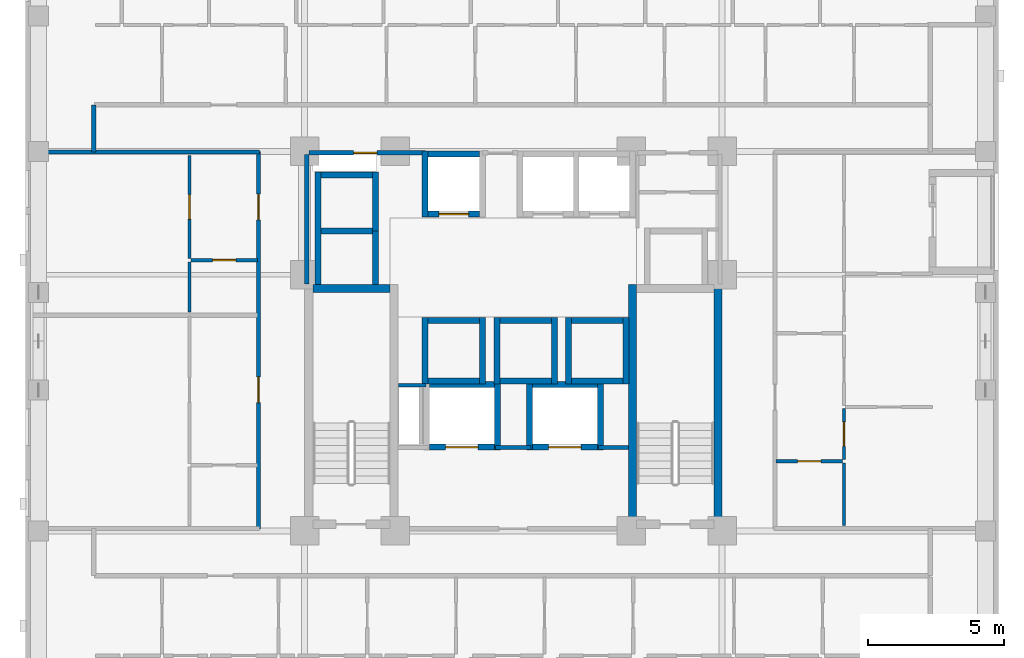
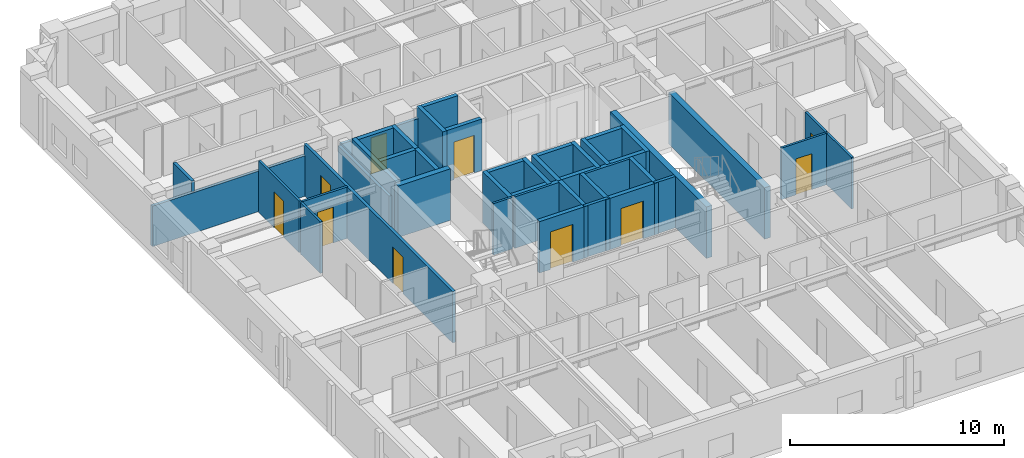
# One storey, part 5 of 13: 44 walls, 10 doors, 10 openings.
"""IFC4 building model written with IfcOpenShell, lengths in metres."""

import ifcopenshell
import ifcopenshell.guid

model = None  # the IFC model being written
_history = None  # IfcOwnerHistory: only IFC2X3 demands one
_inside = {}  # id of a spatial element -> (the spatial element, [elements in it])
_under = {}  # id of a project, library or spatial element -> (it, [spatial elements below it])
_declared = {}  # id of a project -> (the project, [libraries it declares])
_typed = {}  # id of a type object -> (the type object, [elements of that type])
_made_of = {}  # id of a material, layer set ... -> (it, [elements and type objects made of it])


def new_model(schema):
    """Start an empty IFC model of exactly this schema.

    Asked for "IFC4X3", IfcOpenShell would pick the latest addendum, in which some entities
    have other attributes; the version numbers below select the first issue.
    IFC2X3 requires an IfcOwnerHistory on every rooted entity: one is made here for all.
    """
    global model, _history
    if schema == "IFC4X3":
        model = ifcopenshell.file(schema_version=(4, 3, 0, 0))
    else:
        model = ifcopenshell.file(schema=schema)
    _inside.clear()
    _under.clear()
    _declared.clear()
    _typed.clear()
    _made_of.clear()
    _history = None
    if model.schema == "IFC2X3":
        org = make("IfcOrganization", Name="unknown")
        user = make(
            "IfcPersonAndOrganization",
            ThePerson=make("IfcPerson", FamilyName="unknown"),
            TheOrganization=org,
        )
        app = make(
            "IfcApplication",
            ApplicationDeveloper=org,
            Version="unknown",
            ApplicationFullName="unknown",
            ApplicationIdentifier="unknown",
        )
        _history = make(
            "IfcOwnerHistory",
            OwningUser=user,
            OwningApplication=app,
            ChangeAction="ADDED",
            CreationDate=0,
        )
    return model


def make(cls, **values):
    """One entity of the class cls with the attributes given. An attribute that is None is left unset."""
    return model.create_entity(
        cls, **{name: value for name, value in values.items() if value is not None}
    )


def rooted(cls, **values):
    """An entity with a GlobalId (a new one), such as an element, a storey or a relation."""
    return make(cls, GlobalId=ifcopenshell.guid.new(), OwnerHistory=_history, **values)


def si_unit(unit_type, name, prefix=None):
    """IfcSIUnit, for example si_unit("LENGTHUNIT", "METRE", prefix="MILLI")."""
    return make("IfcSIUnit", UnitType=unit_type, Prefix=prefix, Name=name)


def derived_unit(unit_type, elements):
    """IfcDerivedUnit: a product of units, each with its exponent."""
    return make(
        "IfcDerivedUnit",
        Elements=[
            make("IfcDerivedUnitElement", Unit=unit, Exponent=power)
            for unit, power in elements
        ],
        UnitType=unit_type,
    )


def assignment(units):
    """IfcUnitAssignment: the units of a project."""
    return None if units is None else make("IfcUnitAssignment", Units=units)


def point(xyz):
    """IfcCartesianPoint."""
    return None if xyz is None else make("IfcCartesianPoint", Coordinates=xyz)


def direction(xyz):
    """IfcDirection."""
    return None if xyz is None else make("IfcDirection", DirectionRatios=xyz)


def frame(location, z_axis=None, x_axis=None):
    """IfcAxis2Placement3D, a coordinate frame: its origin and axes. An axis left out is left unset."""
    return make(
        "IfcAxis2Placement3D",
        Location=point(location),
        Axis=direction(z_axis),
        RefDirection=direction(x_axis),
    )


def frame_2d(location, x_axis=None):
    """IfcAxis2Placement2D, a coordinate frame in the plane: its origin and x axis."""
    return make(
        "IfcAxis2Placement2D", Location=point(location), RefDirection=direction(x_axis)
    )


def origin():
    """The frame at (0, 0, 0) with its axes left unset."""
    return frame((0.0, 0.0, 0.0))


def place(relative_to, where):
    """IfcLocalPlacement: puts the frame where relative to a parent placement (None: the world)."""
    return make(
        "IfcLocalPlacement", PlacementRelTo=relative_to, RelativePlacement=where
    )


def context(
    kind, dimensions, precision=None, world=None, true_north=None, identifier=None
):
    """IfcGeometricRepresentationContext, for example the 3D "Model" context."""
    return make(
        "IfcGeometricRepresentationContext",
        ContextIdentifier=identifier,
        ContextType=kind,
        CoordinateSpaceDimension=dimensions,
        Precision=precision,
        WorldCoordinateSystem=world,
        TrueNorth=true_north,
    )


def subcontext(parent, identifier, kind, view, scale=None):
    """IfcGeometricRepresentationSubContext, for example "Body" below "Model"."""
    return make(
        "IfcGeometricRepresentationSubContext",
        ContextIdentifier=identifier,
        ContextType=kind,
        ParentContext=parent,
        TargetScale=scale,
        TargetView=view,
    )


def project(units=None, contexts=None):
    """IfcProject with its units and contexts."""
    return rooted(
        "IfcProject",
        Name="project",
        RepresentationContexts=contexts,
        UnitsInContext=assignment(units),
    )


def spatial(cls, under=None, at=None, **own):
    """A site, building, storey or space (cls), placed at a placement, below another one or the project."""
    s = rooted(cls, ObjectPlacement=at, **own)
    if under is not None:
        _under.setdefault(under.id(), (under, []))[1].append(s)
    return s


def profile(cls, at=None, kind="AREA", **sizes):
    """A parametric profile (cls). Its sizes go by their IFC names, for example OverallWidth=200.0."""
    return make(cls, ProfileType=kind, Position=at, **sizes)


def rectangle(**sizes):
    """IfcRectangleProfileDef."""
    return profile("IfcRectangleProfileDef", **sizes)


def extrude(swept, where, along, depth):
    """IfcExtrudedAreaSolid: the profile swept, set in the frame where, extruded along a direction by depth."""
    return make(
        "IfcExtrudedAreaSolid",
        SweptArea=swept,
        Position=where,
        ExtrudedDirection=direction(along),
        Depth=depth,
    )


def shape(context_of_items, identifier, shape_type, items):
    """IfcShapeRepresentation: the items that make up one representation, for example the "Body"."""
    return make(
        "IfcShapeRepresentation",
        ContextOfItems=context_of_items,
        RepresentationIdentifier=identifier,
        RepresentationType=shape_type,
        Items=items,
    )


def material(Name=None, Category=None):
    """IfcMaterial."""
    return make("IfcMaterial", Name=Name, Category=Category)


def layer(
    of_material, thickness, ventilated=None, Name=None, Category=None, Priority=None
):
    """IfcMaterialLayer: one layer of a wall or slab, of a material (None: an air gap)."""
    return make(
        "IfcMaterialLayer",
        Material=of_material,
        LayerThickness=thickness,
        IsVentilated=ventilated,
        Name=Name,
        Category=Category,
        Priority=Priority,
    )


def layer_set(layers, Name=None):
    """IfcMaterialLayerSet."""
    return make("IfcMaterialLayerSet", MaterialLayers=layers, LayerSetName=Name)


def made_of(thing, what):
    """Note that an element or type object is made of a material, layer set ...; save() writes the relation."""
    if what is not None:
        _made_of.setdefault(what.id(), (what, []))[1].append(thing)
    return thing


def type_object(cls, material=None, **own):
    """A type object (cls), such as IfcWallType, which elements share."""
    return made_of(rooted(cls, **own), material)


def element(
    cls,
    number,
    at=None,
    inside=None,
    cuts=None,
    type_object=None,
    material=None,
    context=None,
    identifier="Body",
    shape_type=None,
    held_by="IfcProductDefinitionShape",
    body=None,
    shapes=None,
    **own,
):
    """One element of the class cls, such as IfcWall. Its Tag is "e" and its number.

    at: its placement. inside: the storey or other place that contains it. cuts: it is an
    opening in that element (IfcRelVoidsElement). A single representation is given by context,
    identifier, shape_type and body (its items); several are given by shapes. held_by: the class
    of the entity that holds the representations. save() writes the other relations.
    """
    e = rooted(cls, Tag="e%d" % number, ObjectPlacement=at, **own)
    if body is not None:
        shapes = [shape(context, identifier, shape_type, body)]
    if shapes is not None:
        e.Representation = make(held_by, Representations=shapes)
    if inside is not None:
        _inside.setdefault(inside.id(), (inside, []))[1].append(e)
    if cuts is not None:
        rooted(
            "IfcRelVoidsElement", RelatingBuildingElement=cuts, RelatedOpeningElement=e
        )
    if type_object is not None:
        _typed.setdefault(type_object.id(), (type_object, []))[1].append(e)
    return made_of(e, material)


def fill(opening, filler):
    """IfcRelFillsElement: the door or window that sits in an opening."""
    return rooted(
        "IfcRelFillsElement",
        RelatingOpeningElement=opening,
        RelatedBuildingElement=filler,
    )


def aggregate(whole, parts):
    """IfcRelAggregates: a whole, such as a stair, and the parts it consists of."""
    return rooted("IfcRelAggregates", RelatingObject=whole, RelatedObjects=parts)


def save(model, path):
    """Write the relations noted so far, then the file.

    IfcRelAggregates (storeys below a building ...), IfcRelContainedInSpatialStructure (elements
    in a storey), IfcRelDefinesByType, IfcRelAssociatesMaterial and IfcRelDeclares: one each for
    every whole, place, type object, material and project.
    """
    for whole, parts in _under.values():
        aggregate(whole, parts)
    for where, things in _inside.values():
        rooted(
            "IfcRelContainedInSpatialStructure",
            RelatedElements=things,
            RelatingStructure=where,
        )
    for kind, things in _typed.values():
        rooted("IfcRelDefinesByType", RelatedObjects=things, RelatingType=kind)
    for what, things in _made_of.values():
        rooted("IfcRelAssociatesMaterial", RelatedObjects=things, RelatingMaterial=what)
    for by, libraries in _declared.values():
        rooted("IfcRelDeclares", RelatingContext=by, RelatedDefinitions=libraries)
    model.write(path)


model = new_model("IFC4")

# Units and contexts
model_context = context("Model", 3, precision=1e-05, world=origin(), true_north=direction((0.0, 1.0)))
body_context = subcontext(model_context, "Body", "Model", "MODEL_VIEW")
ifc_project = project(units=[si_unit("LENGTHUNIT", "METRE"), si_unit("AREAUNIT", "SQUARE_METRE"), si_unit("VOLUMEUNIT", "CUBIC_METRE"), si_unit("PLANEANGLEUNIT", "RADIAN"), si_unit("MASSUNIT", "GRAM", prefix="KILO"), derived_unit("THERMALTRANSMITTANCEUNIT", [(si_unit("MASSUNIT", "GRAM", prefix="KILO"), 1), (si_unit("TIMEUNIT", "SECOND"), -3), (si_unit("THERMODYNAMICTEMPERATUREUNIT", "KELVIN"), -1)])], contexts=[model_context])

# Site, building, storey
site_placement = place(None, origin())
site = spatial("IfcSite", under=ifc_project, at=site_placement, CompositionType="ELEMENT")
building_placement = place(site_placement, origin())
building = spatial("IfcBuilding", under=site, at=building_placement, Name="Korrvale Station Residences", CompositionType="ELEMENT")
storey_placement = place(building_placement, frame((0.0, 0.0, 97.5)))
storey = spatial("IfcBuildingStorey", under=building, at=storey_placement, Name="L27", CompositionType="ELEMENT", Elevation=97.5)

# Walls
ifc_material_1 = material(Name="Concrete C60/75", Category="concrete")
ifc_layer_1 = layer(ifc_material_1, 0.300048828125, Name="Concrete C60/75")
ifc_layer_set_1 = layer_set([ifc_layer_1], Name="Concrete C60/75")
wall_type_1 = type_object("IfcWallType", Name="WAL-CORE-300-C60", PredefinedType="SHEAR", material=ifc_layer_set_1)
wall_1_placement = place(storey_placement, frame((18.10009765625, 23.949951171875, 0.0), z_axis=(0.0, 0.0, 1.0), x_axis=(1.0, 0.0, 0.0)))
element("IfcWall", 1, at=wall_1_placement, inside=storey, type_object=wall_type_1, Name="L27 ST-1 Core Shear Wall North", PredefinedType="SHEAR", context=body_context, shape_type="SweptSolid", body=[
    extrude(rectangle(XDim=2.849853515625, YDim=0.300048828125, at=frame_2d((1.4248046875, 0.0))), origin(), (0.0, 0.0, 1.0), 2.93994140625),
])
for number, where, z_axis, x_axis, name in (
    (2, (29.89990234375, 15.10009765625, 0.0), (0.0, 0.0, 1.0), (0.0, 1.0, 0.0), "L27 ST-2 Core Shear Wall West"),
    (3, (33.050048828125, 15.10009765625, 0.0), (0.0, 0.0, 1.0), (0.0, 1.0, 0.0), "L27 ST-2 Core Shear Wall East"),
):
    element("IfcWall", number, at=place(storey_placement, frame(where, z_axis=z_axis, x_axis=x_axis)), inside=storey, type_object=wall_type_1, Name=name, PredefinedType="SHEAR", context=body_context, shape_type="SweptSolid", body=[
        extrude(rectangle(XDim=9.0, YDim=0.300048828125, at=frame_2d((4.5, 0.0))), origin(), (0.0, 0.0, 1.0), 2.93994140625),
    ])
ifc_material_2 = material(Name="Acoustic steel-stud gypsum board partition", Category="steel")
ifc_layer_2 = layer(ifc_material_2, 0.1201171875, Name="Acoustic steel-stud gypsum board partition")
ifc_layer_set_2 = layer_set([ifc_layer_2], Name="Acoustic steel-stud gypsum board partition")
wall_type_2 = type_object("IfcWallType", Name="WAL-PART-125", PredefinedType="PARTITIONING", material=ifc_layer_set_2)
wall_2_placement = place(storey_placement, frame((22.280029296875, 20.3798828125, 0.0), z_axis=(0.0, 0.0, 1.0), x_axis=(-1.0, 0.0, 0.0)))
element("IfcWall", 4, at=wall_2_placement, inside=storey, type_object=wall_type_2, Name="L27 Core Partition CW-RSWT-N", PredefinedType="PARTITIONING", context=body_context, shape_type="SweptSolid", body=[
    extrude(rectangle(XDim=1.02001953125, YDim=0.1201171875, at=frame_2d((0.510009765625, 0.0))), origin(), (0.0, 0.0, 1.0), 2.93994140625),
])

# Wall, opening, door
wall_3_placement = place(storey_placement, frame((13.610107421875, 24.991943359375, 0.0), z_axis=(0.0, 0.0, 1.0), x_axis=(1.0, 0.0, 0.0)))
wall_3 = element("IfcWall", 5, at=wall_3_placement, inside=storey, type_object=wall_type_2, Name="L27 Suite Partition U04-H01", PredefinedType="PARTITIONING", context=body_context, shape_type="SweptSolid", body=[
    extrude(rectangle(XDim=2.449951171875, YDim=0.1201171875, at=frame_2d((1.22509765625, 0.0))), origin(), (0.0, 0.0, 1.0), 2.93994140625),
])
opening_1_placement = place(wall_3_placement, frame((0.794921875, 0.0, 0.0)))
opening_1 = element("IfcOpeningElement", 6, at=opening_1_placement, cuts=wall_3, Name="Opening DB-860", PredefinedType="OPENING", context=body_context, shape_type="SweptSolid", body=[
    extrude(rectangle(XDim=0.860107421875, YDim=2.050048828125, at=frame_2d((0.43017578125, 1.02490234375))), frame((0.0, 0.070068359375, 0.0), z_axis=(0.0, -1.0, 0.0), x_axis=(1.0, 0.0, 0.0)), (0.0, 0.0, 1.0), 0.14013671875),
])
ifc_material_3 = material(Name="Moisture-resistant solid-core bathroom door", Category="timber")
door_type_1 = type_object("IfcDoorType", Name="DR-BATH-860", OperationType="NOTDEFINED", PredefinedType="DOOR", material=ifc_material_3)
door_1_placement = place(opening_1_placement, origin())
door_1 = element("IfcDoor", 7, at=door_1_placement, inside=storey, type_object=door_type_1, Name="L27 Apartment 1BR L27-U04 Bathroom Door", OperationType="SINGLE_SWING_LEFT", OverallHeight=2.050048828125, OverallWidth=0.860107421875, PredefinedType="DOOR", context=body_context, shape_type="SweptSolid", body=[
    extrude(rectangle(XDim=0.860107421875, YDim=2.050048828125, at=frame_2d((0.43017578125, 1.02490234375))), frame((0.0, 0.02490234375, 0.0), z_axis=(0.0, -1.0, 0.0), x_axis=(1.0, 0.0, 0.0)), (0.0, 0.0, 1.0), 0.050048828125),
])
fill(opening_1, door_1)

# Wall
wall_4_placement = place(storey_placement, frame((13.550048828125, 23.08203125, 0.0), z_axis=(0.0, 0.0, 1.0), x_axis=(0.0, 1.0, 0.0)))
element("IfcWall", 8, at=wall_4_placement, inside=storey, type_object=wall_type_2, Name="L27 Suite Partition U04-V02", PredefinedType="PARTITIONING", context=body_context, shape_type="SweptSolid", body=[
    extrude(rectangle(XDim=1.849853515625, YDim=0.1201171875, at=frame_2d((0.9248046875, 0.0))), origin(), (0.0, 0.0, 1.0), 2.93994140625),
])

# Wall, opening, door
wall_5_placement = place(storey_placement, frame((13.550048828125, 25.052001953125, 0.0), z_axis=(0.0, 0.0, 1.0), x_axis=(0.0, 1.0, 0.0)))
wall_5 = element("IfcWall", 9, at=wall_5_placement, inside=storey, type_object=wall_type_2, Name="L27 Suite Partition U04-V12", PredefinedType="PARTITIONING", context=body_context, shape_type="SweptSolid", body=[
    extrude(rectangle(XDim=3.80810546875, YDim=0.1201171875, at=frame_2d((1.904052734375, 0.0))), origin(), (0.0, 0.0, 1.0), 2.93994140625),
])
opening_2_placement = place(wall_5_placement, frame((1.4541015625, 0.0, 0.0)))
opening_2 = element("IfcOpeningElement", 10, at=opening_2_placement, cuts=wall_5, Name="Opening DI-900", PredefinedType="OPENING", context=body_context, shape_type="SweptSolid", body=[
    extrude(rectangle(XDim=0.89990234375, YDim=2.050048828125, at=frame_2d((0.449951171875, 1.02490234375))), frame((0.0, 0.070068359375, 0.0), z_axis=(0.0, -1.0, 0.0), x_axis=(1.0, 0.0, 0.0)), (0.0, 0.0, 1.0), 0.14013671875),
])
ifc_material_4 = material(Name="Painted solid-core timber interior room door", Category="wood")
door_type_2 = type_object("IfcDoorType", Name="DR-INT-900", OperationType="NOTDEFINED", PredefinedType="DOOR", material=ifc_material_4)
door_2_placement = place(opening_2_placement, origin())
door_2 = element("IfcDoor", 11, at=door_2_placement, inside=storey, type_object=door_type_2, Name="L27 Apartment 1BR L27-U04 Kitchen Door", OperationType="SINGLE_SWING_RIGHT", OverallHeight=2.050048828125, OverallWidth=0.89990234375, PredefinedType="DOOR", context=body_context, shape_type="SweptSolid", body=[
    extrude(rectangle(XDim=0.89990234375, YDim=2.050048828125, at=frame_2d((0.449951171875, 1.02490234375))), frame((0.0, 0.02490234375, 0.0), z_axis=(0.0, -1.0, 0.0), x_axis=(1.0, 0.0, 0.0)), (0.0, 0.0, 1.0), 0.050048828125),
])
fill(opening_2, door_2)

wall_6_placement = place(storey_placement, frame((35.18994140625, 17.570068359375, 0.0), z_axis=(0.0, 0.0, 1.0), x_axis=(1.0, 0.0, 0.0)))
wall_6 = element("IfcWall", 12, at=wall_6_placement, inside=storey, type_object=wall_type_2, Name="L27 Suite Partition U05-H12", PredefinedType="PARTITIONING", context=body_context, shape_type="SweptSolid", body=[
    extrude(rectangle(XDim=2.449951171875, YDim=0.1201171875, at=frame_2d((1.22509765625, 0.0))), origin(), (0.0, 0.0, 1.0), 2.93994140625),
])
opening_3_placement = place(wall_6_placement, frame((0.794921875, 0.0, 0.0)))
opening_3 = element("IfcOpeningElement", 13, at=opening_3_placement, cuts=wall_6, Name="Opening DB-860", PredefinedType="OPENING", context=body_context, shape_type="SweptSolid", body=[
    extrude(rectangle(XDim=0.860107421875, YDim=2.050048828125, at=frame_2d((0.43017578125, 1.02490234375))), frame((0.0, 0.070068359375, 0.0), z_axis=(0.0, -1.0, 0.0), x_axis=(1.0, 0.0, 0.0)), (0.0, 0.0, 1.0), 0.14013671875),
])
door_3_placement = place(opening_3_placement, origin())
door_3 = element("IfcDoor", 14, at=door_3_placement, inside=storey, type_object=door_type_1, Name="L27 Apartment 2BR L27-U05 Bathroom Door", OperationType="SINGLE_SWING_RIGHT", OverallHeight=2.050048828125, OverallWidth=0.860107421875, PredefinedType="DOOR", context=body_context, shape_type="SweptSolid", body=[
    extrude(rectangle(XDim=0.860107421875, YDim=2.050048828125, at=frame_2d((0.43017578125, 1.02490234375))), frame((0.0, 0.02490234375, 0.0), z_axis=(0.0, -1.0, 0.0), x_axis=(1.0, 0.0, 0.0)), (0.0, 0.0, 1.0), 0.050048828125),
])
fill(opening_3, door_3)

# Wall
wall_7_placement = place(storey_placement, frame((37.699951171875, 15.2099609375, 0.0), z_axis=(0.0, 0.0, 1.0), x_axis=(0.0, 1.0, 0.0)))
element("IfcWall", 15, at=wall_7_placement, inside=storey, type_object=wall_type_2, Name="L27 Suite Partition U05-V13", PredefinedType="PARTITIONING", context=body_context, shape_type="SweptSolid", body=[
    extrude(rectangle(XDim=2.300048828125, YDim=0.1201171875, at=frame_2d((1.14990234375, 0.0))), origin(), (0.0, 0.0, 1.0), 2.93994140625),
])

# Wall, opening, door
wall_8_placement = place(storey_placement, frame((37.699951171875, 17.6298828125, 0.0), z_axis=(0.0, 0.0, 1.0), x_axis=(0.0, 1.0, 0.0)))
wall_8 = element("IfcWall", 16, at=wall_8_placement, inside=storey, type_object=wall_type_2, Name="L27 Suite Partition U05-V23", PredefinedType="PARTITIONING", context=body_context, shape_type="SweptSolid", body=[
    extrude(rectangle(XDim=1.88818359375, YDim=0.1201171875, at=frame_2d((0.944091796875, 0.0))), origin(), (0.0, 0.0, 1.0), 2.93994140625),
])
opening_4_placement = place(wall_8_placement, frame((0.493896484375, 0.0, 0.0)))
opening_4 = element("IfcOpeningElement", 17, at=opening_4_placement, cuts=wall_8, Name="Opening DI-900", PredefinedType="OPENING", context=body_context, shape_type="SweptSolid", body=[
    extrude(rectangle(XDim=0.89990234375, YDim=2.050048828125, at=frame_2d((0.449951171875, 1.02490234375))), frame((0.0, 0.070068359375, 0.0), z_axis=(0.0, -1.0, 0.0), x_axis=(1.0, 0.0, 0.0)), (0.0, 0.0, 1.0), 0.14013671875),
])
door_4_placement = place(opening_4_placement, origin())
door_4 = element("IfcDoor", 18, at=door_4_placement, inside=storey, type_object=door_type_2, Name="L27 Apartment 2BR L27-U05 Kitchen Door", OperationType="SINGLE_SWING_LEFT", OverallHeight=2.050048828125, OverallWidth=0.89990234375, PredefinedType="DOOR", context=body_context, shape_type="SweptSolid", body=[
    extrude(rectangle(XDim=0.89990234375, YDim=2.050048828125, at=frame_2d((0.449951171875, 1.02490234375))), frame((0.0, 0.02490234375, 0.0), z_axis=(0.0, -1.0, 0.0), x_axis=(1.0, 0.0, 0.0)), (0.0, 0.0, 1.0), 0.050048828125),
])
fill(opening_4, door_4)

# Walls
ifc_material_5 = material(Name="Fire-rated twin-stud gypsum and mineral wool shaftwall assembly", Category="gypsum")
ifc_layer_3 = layer(ifc_material_5, 0.159912109375, Name="Fire-rated twin-stud gypsum and mineral wool shaftwall assembly")
ifc_layer_set_3 = layer_set([ifc_layer_3], Name="Fire-rated twin-stud gypsum and mineral wool shaftwall assembly")
wall_type_3 = type_object("IfcWallType", Name="WAL-PART-200", PredefinedType="PARTITIONING", material=ifc_layer_set_3)
wall_9_placement = place(storey_placement, frame((24.85009765625, 18.080078125, 0.0), z_axis=(0.0, 0.0, 1.0), x_axis=(1.0, 0.0, 0.0)))
element("IfcWall", 19, at=wall_9_placement, inside=storey, type_object=wall_type_3, Name="L27 Core Partition CW-FFL-N2", PredefinedType="PARTITIONING", context=body_context, shape_type="SweptSolid", body=[
    extrude(rectangle(XDim=1.2998046875, YDim=0.159912109375, at=frame_2d((0.64990234375, 0.0))), origin(), (0.0, 0.0, 1.0), 2.93994140625),
])
wall_10_placement = place(storey_placement, frame((28.64990234375, 18.080078125, 0.0), z_axis=(0.0, 0.0, 1.0), x_axis=(1.0, 0.0, 0.0)))
element("IfcWall", 20, at=wall_10_placement, inside=storey, type_object=wall_type_3, Name="L27 Core Partition CW-FFL-N3", PredefinedType="PARTITIONING", context=body_context, shape_type="SweptSolid", body=[
    extrude(rectangle(XDim=1.10009765625, YDim=0.159912109375, at=frame_2d((0.550048828125, 0.0))), origin(), (0.0, 0.0, 1.0), 2.93994140625),
])
wall_11_placement = place(storey_placement, frame((17.8798828125, 24.1201171875, 0.0), z_axis=(0.0, 0.0, 1.0), x_axis=(0.0, 1.0, 0.0)))
element("IfcWall", 21, at=wall_11_placement, inside=storey, type_object=wall_type_3, Name="L27 Core Partition CW-W-N", PredefinedType="PARTITIONING", context=body_context, shape_type="SweptSolid", body=[
    extrude(rectangle(XDim=4.759765625, YDim=0.159912109375, at=frame_2d((2.3798828125, 0.0))), origin(), (0.0, 0.0, 1.0), 2.27490234375),
])

# Wall, opening, door
wall_12_placement = place(storey_placement, frame((17.9599609375, 28.949951171875, 0.0), z_axis=(0.0, 0.0, 1.0), x_axis=(1.0, 0.0, 0.0)))
wall_12 = element("IfcWall", 22, at=wall_12_placement, inside=storey, type_object=wall_type_3, Name="L27 Core Partition CW-NW", PredefinedType="PARTITIONING", context=body_context, shape_type="SweptSolid", body=[
    extrude(rectangle(XDim=4.2900390625, YDim=0.159912109375, at=frame_2d((2.14501953125, 0.0))), origin(), (0.0, 0.0, 1.0), 2.31298828125),
])
opening_5_placement = place(wall_12_placement, frame((1.64501953125, 0.0, 0.0)))
opening_5 = element("IfcOpeningElement", 23, at=opening_5_placement, cuts=wall_12, Name="Opening DB-860", PredefinedType="OPENING", context=body_context, shape_type="SweptSolid", body=[
    extrude(rectangle(XDim=0.860107421875, YDim=2.050048828125, at=frame_2d((0.43017578125, 1.02490234375))), frame((0.0, 0.08984375, 0.0), z_axis=(0.0, -1.0, 0.0), x_axis=(1.0, 0.0, 0.0)), (0.0, 0.0, 1.0), 0.179931640625),
])
door_5_placement = place(opening_5_placement, origin())
door_5 = element("IfcDoor", 24, at=door_5_placement, inside=storey, type_object=door_type_1, Name="L27 Electrical Riser Access Door", OperationType="SINGLE_SWING_LEFT", OverallHeight=2.050048828125, OverallWidth=0.860107421875, PredefinedType="DOOR", context=body_context, shape_type="SweptSolid", body=[
    extrude(rectangle(XDim=0.860107421875, YDim=2.050048828125, at=frame_2d((0.43017578125, 1.02490234375))), frame((0.0, 0.02490234375, 0.0), z_axis=(0.0, -1.0, 0.0), x_axis=(1.0, 0.0, 0.0)), (0.0, 0.0, 1.0), 0.050048828125),
])
fill(opening_5, door_5)

# Walls
wall_13_placement = place(storey_placement, frame((10.02001953125, 28.97998046875, 0.0), z_axis=(0.0, 0.0, 1.0), x_axis=(0.0, 1.0, 0.0)))
element("IfcWall", 25, at=wall_13_placement, inside=storey, type_object=wall_type_3, Name="L27 Corridor North West Cap", PredefinedType="PARTITIONING", context=body_context, shape_type="SweptSolid", body=[
    extrude(rectangle(XDim=1.739990234375, YDim=0.159912109375, at=frame_2d((0.8701171875, 0.0))), origin(), (0.0, 0.0, 1.0), 2.93994140625),
])
wall_14_placement = place(storey_placement, frame((7.780029296875, 28.97998046875, 0.0), z_axis=(0.0, 0.0, 1.0), x_axis=(1.0, 0.0, 0.0)))
element("IfcWall", 26, at=wall_14_placement, inside=storey, type_object=wall_type_3, Name="L27 West Wing North Corridor Wall", PredefinedType="PARTITIONING", context=body_context, shape_type="SweptSolid", body=[
    extrude(rectangle(XDim=8.35986328125, YDim=0.159912109375, at=frame_2d((4.179931640625, 0.0))), origin(), (0.0, 0.0, 1.0), 2.31298828125),
])

# Wall, openings, doors
wall_15_placement = place(storey_placement, frame((16.10009765625, 15.070068359375, 0.0), z_axis=(0.0, 0.0, 1.0), x_axis=(0.0, 1.0, 0.0)))
wall_15 = element("IfcWall", 27, at=wall_15_placement, inside=storey, type_object=wall_type_3, Name="L27 Rated Corridor Wall W", PredefinedType="PARTITIONING", context=body_context, shape_type="SweptSolid", body=[
    extrude(rectangle(XDim=13.929931640625, YDim=0.159912109375, at=frame_2d((6.96484375, 0.0))), origin(), (0.0, 0.0, 1.0), 2.93994140625),
])
opening_6_placement = place(wall_15_placement, frame((4.660888671875, 0.0, 0.0)))
opening_6 = element("IfcOpeningElement", 28, at=opening_6_placement, cuts=wall_15, Name="Opening UD-950", PredefinedType="OPENING", context=body_context, shape_type="SweptSolid", body=[
    extrude(rectangle(XDim=0.949951171875, YDim=2.10009765625, at=frame_2d((0.47509765625, 1.050048828125))), frame((0.0, 0.08984375, 0.0), z_axis=(0.0, -1.0, 0.0), x_axis=(1.0, 0.0, 0.0)), (0.0, 0.0, 1.0), 0.179931640625),
])
opening_7_placement = place(wall_15_placement, frame((11.410888671875, 0.0, 0.0)))
opening_7 = element("IfcOpeningElement", 29, at=opening_7_placement, cuts=wall_15, Name="Opening UD-950", PredefinedType="OPENING", context=body_context, shape_type="SweptSolid", body=[
    extrude(rectangle(XDim=0.949951171875, YDim=2.10009765625, at=frame_2d((0.47509765625, 1.050048828125))), frame((0.0, 0.08984375, 0.0), z_axis=(0.0, -1.0, 0.0), x_axis=(1.0, 0.0, 0.0)), (0.0, 0.0, 1.0), 0.179931640625),
])
ifc_material_6 = material(Name="Solid-core acoustic oak apartment entrance door", Category="timber")
door_type_3 = type_object("IfcDoorType", Name="DR-UNIT-950", OperationType="NOTDEFINED", PredefinedType="DOOR", material=ifc_material_6)
door_6_placement = place(opening_6_placement, origin())
door_6 = element("IfcDoor", 30, at=door_6_placement, inside=storey, type_object=door_type_3, Name="L27 Apartment L27-U03 Entrance Door", OperationType="SINGLE_SWING_LEFT", OverallHeight=2.10009765625, OverallWidth=0.949951171875, PredefinedType="DOOR", context=body_context, shape_type="SweptSolid", body=[
    extrude(rectangle(XDim=0.949951171875, YDim=2.10009765625, at=frame_2d((0.47509765625, 1.050048828125))), frame((0.0, 0.02490234375, 0.0), z_axis=(0.0, -1.0, 0.0), x_axis=(1.0, 0.0, 0.0)), (0.0, 0.0, 1.0), 0.050048828125),
])
fill(opening_6, door_6)
door_7_placement = place(opening_7_placement, origin())
door_7 = element("IfcDoor", 31, at=door_7_placement, inside=storey, type_object=door_type_3, Name="L27 Apartment L27-U04 Entrance Door", OperationType="SINGLE_SWING_RIGHT", OverallHeight=2.10009765625, OverallWidth=0.949951171875, PredefinedType="DOOR", context=body_context, shape_type="SweptSolid", body=[
    extrude(rectangle(XDim=0.949951171875, YDim=2.10009765625, at=frame_2d((0.47509765625, 1.050048828125))), frame((0.0, 0.02490234375, 0.0), z_axis=(0.0, -1.0, 0.0), x_axis=(1.0, 0.0, 0.0)), (0.0, 0.0, 1.0), 0.050048828125),
])
fill(opening_7, door_7)

# Wall, opening, door
ifc_layer_4 = layer(ifc_material_1, 0.219970703125, Name="Concrete C60/75")
ifc_layer_set_4 = layer_set([ifc_layer_4], Name="Concrete C60/75")
wall_type_4 = type_object("IfcWallType", Name="WAL-SHAFT-220-C60", PredefinedType="SHEAR", material=ifc_layer_set_4)
wall_16_placement = place(storey_placement, frame((22.35009765625, 26.68994140625, 0.0), z_axis=(0.0, 0.0, 1.0), x_axis=(1.0, 0.0, 0.0)))
wall_16 = element("IfcWall", 32, at=wall_16_placement, inside=storey, type_object=wall_type_4, Name="L27 Elevator PL-1 Hoistway Wall South", PredefinedType="SHEAR", context=body_context, shape_type="SweptSolid", body=[
    extrude(rectangle(XDim=1.89990234375, YDim=0.219970703125, at=frame_2d((0.949951171875, 0.0))), origin(), (0.0, 0.0, 1.0), 2.93994140625),
])
opening_8_placement = place(wall_16_placement, frame((0.39990234375, 0.0, 0.0)))
opening_8 = element("IfcOpeningElement", 33, at=opening_8_placement, cuts=wall_16, Name="Opening LD-1100", PredefinedType="OPENING", context=body_context, shape_type="SweptSolid", body=[
    extrude(rectangle(XDim=1.10009765625, YDim=2.14990234375, at=frame_2d((0.550048828125, 1.074951171875))), frame((0.0, 0.1201171875, 0.0), z_axis=(0.0, -1.0, 0.0), x_axis=(1.0, 0.0, 0.0)), (0.0, 0.0, 1.0), 0.239990234375),
])
ifc_material_7 = material(Name="Brushed stainless-steel elevator landing sliding door", Category="steel")
door_type_4 = type_object("IfcDoorType", Name="DR-LIFT-1100", OperationType="SLIDING_TO_LEFT", PredefinedType="DOOR", material=ifc_material_7)
door_8_placement = place(opening_8_placement, origin())
door_8 = element("IfcDoor", 34, at=door_8_placement, inside=storey, type_object=door_type_4, Name="L27 Elevator PL-1 Sliding Landing Door", OperationType="SLIDING_TO_LEFT", OverallHeight=2.14990234375, OverallWidth=1.10009765625, PredefinedType="DOOR", context=body_context, shape_type="SweptSolid", body=[
    extrude(rectangle(XDim=1.10009765625, YDim=2.14990234375, at=frame_2d((0.550048828125, 1.074951171875))), frame((0.0, 0.02490234375, 0.0), z_axis=(0.0, -1.0, 0.0), x_axis=(1.0, 0.0, 0.0)), (0.0, 0.0, 1.0), 0.050048828125),
])
fill(opening_8, door_8)

# Walls
wall_17_placement = place(storey_placement, frame((22.35009765625, 28.909912109375, 0.0), z_axis=(0.0, 0.0, 1.0), x_axis=(1.0, 0.0, 0.0)))
element("IfcWall", 35, at=wall_17_placement, inside=storey, type_object=wall_type_4, Name="L27 Elevator PL-1 Hoistway Wall North", PredefinedType="SHEAR", context=body_context, shape_type="SweptSolid", body=[
    extrude(rectangle(XDim=1.89990234375, YDim=0.219970703125, at=frame_2d((0.949951171875, 0.0))), origin(), (0.0, 0.0, 1.0), 2.93994140625),
])
wall_18_placement = place(storey_placement, frame((22.239990234375, 26.580078125, 0.0), z_axis=(0.0, 0.0, 1.0), x_axis=(0.0, 1.0, 0.0)))
element("IfcWall", 36, at=wall_18_placement, inside=storey, type_object=wall_type_4, Name="L27 Elevator PL-1 Hoistway Wall West", PredefinedType="SHEAR", context=body_context, shape_type="SweptSolid", body=[
    extrude(rectangle(XDim=2.43994140625, YDim=0.219970703125, at=frame_2d((1.219970703125, 0.0))), origin(), (0.0, 0.0, 1.0), 2.93994140625),
])
for number, where, z_axis, x_axis, name in (
    (37, (22.35009765625, 20.5400390625, 0.0), (0.0, 0.0, 1.0), (1.0, 0.0, 0.0), "L27 Elevator PM-1 Hoistway Wall South"),
    (38, (22.35009765625, 22.760009765625, 0.0), (0.0, 0.0, 1.0), (1.0, 0.0, 0.0), "L27 Elevator PM-1 Hoistway Wall North"),
):
    element("IfcWall", number, at=place(storey_placement, frame(where, z_axis=z_axis, x_axis=x_axis)), inside=storey, type_object=wall_type_4, Name=name, PredefinedType="SHEAR", context=body_context, shape_type="SweptSolid", body=[
        extrude(rectangle(XDim=1.89990234375, YDim=0.219970703125, at=frame_2d((0.949951171875, 0.0))), origin(), (0.0, 0.0, 1.0), 2.93994140625),
    ])
for number, where, z_axis, x_axis, name in (
    (39, (22.239990234375, 20.429931640625, 0.0), (0.0, 0.0, 1.0), (0.0, 1.0, 0.0), "L27 Elevator PM-1 Hoistway Wall West"),
    (40, (24.360107421875, 20.429931640625, 0.0), (0.0, 0.0, 1.0), (0.0, 1.0, 0.0), "L27 Elevator PM-1 Hoistway Wall East"),
):
    element("IfcWall", number, at=place(storey_placement, frame(where, z_axis=z_axis, x_axis=x_axis)), inside=storey, type_object=wall_type_4, Name=name, PredefinedType="SHEAR", context=body_context, shape_type="SweptSolid", body=[
        extrude(rectangle(XDim=2.440185546875, YDim=0.219970703125, at=frame_2d((1.22021484375, 0.0))), origin(), (0.0, 0.0, 1.0), 2.93994140625),
    ])
for number, where, z_axis, x_axis, name in (
    (41, (25.0, 20.5400390625, 0.0), (0.0, 0.0, 1.0), (1.0, 0.0, 0.0), "L27 Elevator PM-2 Hoistway Wall South"),
    (42, (25.0, 22.760009765625, 0.0), (0.0, 0.0, 1.0), (1.0, 0.0, 0.0), "L27 Elevator PM-2 Hoistway Wall North"),
):
    element("IfcWall", number, at=place(storey_placement, frame(where, z_axis=z_axis, x_axis=x_axis)), inside=storey, type_object=wall_type_4, Name=name, PredefinedType="SHEAR", context=body_context, shape_type="SweptSolid", body=[
        extrude(rectangle(XDim=1.89990234375, YDim=0.219970703125, at=frame_2d((0.949951171875, 0.0))), origin(), (0.0, 0.0, 1.0), 2.93994140625),
    ])
for number, where, z_axis, x_axis, name in (
    (43, (24.889892578125, 20.429931640625, 0.0), (0.0, 0.0, 1.0), (0.0, 1.0, 0.0), "L27 Elevator PM-2 Hoistway Wall West"),
    (44, (27.010009765625, 20.429931640625, 0.0), (0.0, 0.0, 1.0), (0.0, 1.0, 0.0), "L27 Elevator PM-2 Hoistway Wall East"),
):
    element("IfcWall", number, at=place(storey_placement, frame(where, z_axis=z_axis, x_axis=x_axis)), inside=storey, type_object=wall_type_4, Name=name, PredefinedType="SHEAR", context=body_context, shape_type="SweptSolid", body=[
        extrude(rectangle(XDim=2.440185546875, YDim=0.219970703125, at=frame_2d((1.22021484375, 0.0))), origin(), (0.0, 0.0, 1.0), 2.93994140625),
    ])
for number, where, z_axis, x_axis, name in (
    (45, (27.64990234375, 20.5400390625, 0.0), (0.0, 0.0, 1.0), (1.0, 0.0, 0.0), "L27 Elevator PM-3 Hoistway Wall South"),
    (46, (27.64990234375, 22.760009765625, 0.0), (0.0, 0.0, 1.0), (1.0, 0.0, 0.0), "L27 Elevator PM-3 Hoistway Wall North"),
):
    element("IfcWall", number, at=place(storey_placement, frame(where, z_axis=z_axis, x_axis=x_axis)), inside=storey, type_object=wall_type_4, Name=name, PredefinedType="SHEAR", context=body_context, shape_type="SweptSolid", body=[
        extrude(rectangle(XDim=1.900146484375, YDim=0.219970703125, at=frame_2d((0.9501953125, 0.0))), origin(), (0.0, 0.0, 1.0), 2.93994140625),
    ])
for number, where, z_axis, x_axis, name in (
    (47, (27.5400390625, 20.429931640625, 0.0), (0.0, 0.0, 1.0), (0.0, 1.0, 0.0), "L27 Elevator PM-3 Hoistway Wall West"),
    (48, (29.659912109375, 20.429931640625, 0.0), (0.0, 0.0, 1.0), (0.0, 1.0, 0.0), "L27 Elevator PM-3 Hoistway Wall East"),
):
    element("IfcWall", number, at=place(storey_placement, frame(where, z_axis=z_axis, x_axis=x_axis)), inside=storey, type_object=wall_type_4, Name=name, PredefinedType="SHEAR", context=body_context, shape_type="SweptSolid", body=[
        extrude(rectangle(XDim=2.440185546875, YDim=0.219970703125, at=frame_2d((1.22021484375, 0.0))), origin(), (0.0, 0.0, 1.0), 2.93994140625),
    ])
wall_19_placement = place(storey_placement, frame((18.2900390625, 24.10009765625, 0.0), z_axis=(0.0, 0.0, 1.0), x_axis=(0.0, 1.0, 0.0)))
element("IfcWall", 49, at=wall_19_placement, inside=storey, type_object=wall_type_4, Name="L27 Elevator PH-1 Hoistway Wall West", PredefinedType="SHEAR", context=body_context, shape_type="SweptSolid", body=[
    extrude(rectangle(XDim=4.139892578125, YDim=0.219970703125, at=frame_2d((2.06982421875, 0.0))), origin(), (0.0, 0.0, 1.0), 2.93994140625),
])
wall_20_placement = place(storey_placement, frame((20.409912109375, 24.10009765625, 0.0), z_axis=(0.0, 0.0, 1.0), x_axis=(0.0, 1.0, 0.0)))
element("IfcWall", 50, at=wall_20_placement, inside=storey, type_object=wall_type_4, Name="L27 Elevator PH-1 Hoistway Wall East", PredefinedType="SHEAR", context=body_context, shape_type="SweptSolid", body=[
    extrude(rectangle(XDim=1.9599609375, YDim=0.219970703125, at=frame_2d((0.97998046875, 0.0))), origin(), (0.0, 0.0, 1.0), 2.93994140625),
])
for number, where, z_axis, x_axis, name in (
    (51, (18.39990234375, 26.06005859375, 0.0), (0.0, 0.0, 1.0), (1.0, 0.0, 0.0), "L27 Elevator PH-2 Hoistway Wall South"),
    (52, (18.39990234375, 28.1298828125, 0.0), (0.0, 0.0, 1.0), (1.0, 0.0, 0.0), "L27 Elevator PH-2 Hoistway Wall North"),
):
    element("IfcWall", number, at=place(storey_placement, frame(where, z_axis=z_axis, x_axis=x_axis)), inside=storey, type_object=wall_type_4, Name=name, PredefinedType="SHEAR", context=body_context, shape_type="SweptSolid", body=[
        extrude(rectangle(XDim=1.900146484375, YDim=0.219970703125, at=frame_2d((0.9501953125, 0.0))), origin(), (0.0, 0.0, 1.0), 2.93994140625),
    ])
wall_21_placement = place(storey_placement, frame((20.409912109375, 26.06005859375, 0.0), z_axis=(0.0, 0.0, 1.0), x_axis=(0.0, 1.0, 0.0)))
element("IfcWall", 53, at=wall_21_placement, inside=storey, type_object=wall_type_4, Name="L27 Elevator PH-2 Hoistway Wall East", PredefinedType="SHEAR", context=body_context, shape_type="SweptSolid", body=[
    extrude(rectangle(XDim=2.179931640625, YDim=0.219970703125, at=frame_2d((1.08984375, 0.0))), origin(), (0.0, 0.0, 1.0), 2.93994140625),
])

# Wall, opening, door
wall_22_placement = place(storey_placement, frame((22.39990234375, 18.090087890625, 0.0), z_axis=(0.0, 0.0, 1.0), x_axis=(1.0, 0.0, 0.0)))
wall_22 = element("IfcWall", 54, at=wall_22_placement, inside=storey, type_object=wall_type_4, Name="L27 Elevator FFL-1 Hoistway Wall South", PredefinedType="SHEAR", context=body_context, shape_type="SweptSolid", body=[
    extrude(rectangle(XDim=2.400146484375, YDim=0.219970703125, at=frame_2d((1.2001953125, 0.0))), origin(), (0.0, 0.0, 1.0), 2.93994140625),
])
opening_9_placement = place(wall_22_placement, frame((0.60009765625, 0.0, 0.0)))
opening_9 = element("IfcOpeningElement", 55, at=opening_9_placement, cuts=wall_22, Name="Opening LD-FF1200", PredefinedType="OPENING", context=body_context, shape_type="SweptSolid", body=[
    extrude(rectangle(XDim=1.199951171875, YDim=2.14990234375, at=frame_2d((0.60009765625, 1.074951171875))), frame((0.0, 0.1201171875, 0.0), z_axis=(0.0, -1.0, 0.0), x_axis=(1.0, 0.0, 0.0)), (0.0, 0.0, 1.0), 0.239990234375),
])
ifc_material_8 = material(Name="Stainless-steel firefighter elevator landing sliding door", Category="steel")
door_type_5 = type_object("IfcDoorType", Name="DR-LIFT-FF1200", OperationType="SLIDING_TO_LEFT", PredefinedType="DOOR", material=ifc_material_8)
door_9_placement = place(opening_9_placement, origin())
door_9 = element("IfcDoor", 56, at=door_9_placement, inside=storey, type_object=door_type_5, Name="L27 Elevator FFL-1 Sliding Landing Door", OperationType="SLIDING_TO_LEFT", OverallHeight=2.14990234375, OverallWidth=1.199951171875, PredefinedType="DOOR", context=body_context, shape_type="SweptSolid", body=[
    extrude(rectangle(XDim=1.199951171875, YDim=2.14990234375, at=frame_2d((0.60009765625, 1.074951171875))), frame((0.0, 0.02490234375, 0.0), z_axis=(0.0, -1.0, 0.0), x_axis=(1.0, 0.0, 0.0)), (0.0, 0.0, 1.0), 0.050048828125),
])
fill(opening_9, door_9)

# Walls
wall_23_placement = place(storey_placement, frame((22.39990234375, 20.409912109375, 0.0), z_axis=(0.0, 0.0, 1.0), x_axis=(1.0, 0.0, 0.0)))
element("IfcWall", 57, at=wall_23_placement, inside=storey, type_object=wall_type_4, Name="L27 Elevator FFL-1 Hoistway Wall North", PredefinedType="SHEAR", context=body_context, shape_type="SweptSolid", body=[
    extrude(rectangle(XDim=2.400146484375, YDim=0.219970703125, at=frame_2d((1.2001953125, 0.0))), origin(), (0.0, 0.0, 1.0), 2.93994140625),
])
wall_24_placement = place(storey_placement, frame((24.909912109375, 17.97998046875, 0.0), z_axis=(0.0, 0.0, 1.0), x_axis=(0.0, 1.0, 0.0)))
element("IfcWall", 58, at=wall_24_placement, inside=storey, type_object=wall_type_4, Name="L27 Elevator FFL-1 Hoistway Wall East", PredefinedType="SHEAR", context=body_context, shape_type="SweptSolid", body=[
    extrude(rectangle(XDim=2.5400390625, YDim=0.219970703125, at=frame_2d((1.27001953125, 0.0))), origin(), (0.0, 0.0, 1.0), 2.93994140625),
])

# Wall, opening, door
wall_25_placement = place(storey_placement, frame((26.199951171875, 18.090087890625, 0.0), z_axis=(0.0, 0.0, 1.0), x_axis=(1.0, 0.0, 0.0)))
wall_25 = element("IfcWall", 59, at=wall_25_placement, inside=storey, type_object=wall_type_4, Name="L27 Elevator FFL-2 Hoistway Wall South", PredefinedType="SHEAR", context=body_context, shape_type="SweptSolid", body=[
    extrude(rectangle(XDim=2.400146484375, YDim=0.219970703125, at=frame_2d((1.2001953125, 0.0))), origin(), (0.0, 0.0, 1.0), 2.93994140625),
])
opening_10_placement = place(wall_25_placement, frame((0.60009765625, 0.0, 0.0)))
opening_10 = element("IfcOpeningElement", 60, at=opening_10_placement, cuts=wall_25, Name="Opening LD-FF1200", PredefinedType="OPENING", context=body_context, shape_type="SweptSolid", body=[
    extrude(rectangle(XDim=1.199951171875, YDim=2.14990234375, at=frame_2d((0.60009765625, 1.074951171875))), frame((0.0, 0.1201171875, 0.0), z_axis=(0.0, -1.0, 0.0), x_axis=(1.0, 0.0, 0.0)), (0.0, 0.0, 1.0), 0.239990234375),
])
door_10_placement = place(opening_10_placement, origin())
door_10 = element("IfcDoor", 61, at=door_10_placement, inside=storey, type_object=door_type_5, Name="L27 Elevator FFL-2 Sliding Landing Door", OperationType="SLIDING_TO_LEFT", OverallHeight=2.14990234375, OverallWidth=1.199951171875, PredefinedType="DOOR", context=body_context, shape_type="SweptSolid", body=[
    extrude(rectangle(XDim=1.199951171875, YDim=2.14990234375, at=frame_2d((0.60009765625, 1.074951171875))), frame((0.0, 0.02490234375, 0.0), z_axis=(0.0, -1.0, 0.0), x_axis=(1.0, 0.0, 0.0)), (0.0, 0.0, 1.0), 0.050048828125),
])
fill(opening_10, door_10)

# Walls
wall_26_placement = place(storey_placement, frame((26.199951171875, 20.409912109375, 0.0), z_axis=(0.0, 0.0, 1.0), x_axis=(1.0, 0.0, 0.0)))
element("IfcWall", 62, at=wall_26_placement, inside=storey, type_object=wall_type_4, Name="L27 Elevator FFL-2 Hoistway Wall North", PredefinedType="SHEAR", context=body_context, shape_type="SweptSolid", body=[
    extrude(rectangle(XDim=2.400146484375, YDim=0.219970703125, at=frame_2d((1.2001953125, 0.0))), origin(), (0.0, 0.0, 1.0), 2.93994140625),
])
for number, where, z_axis, x_axis, name in (
    (63, (26.090087890625, 17.97998046875, 0.0), (0.0, 0.0, 1.0), (0.0, 1.0, 0.0), "L27 Elevator FFL-2 Hoistway Wall West"),
    (64, (28.7099609375, 17.97998046875, 0.0), (0.0, 0.0, 1.0), (0.0, 1.0, 0.0), "L27 Elevator FFL-2 Hoistway Wall East"),
):
    element("IfcWall", number, at=place(storey_placement, frame(where, z_axis=z_axis, x_axis=x_axis)), inside=storey, type_object=wall_type_4, Name=name, PredefinedType="SHEAR", context=body_context, shape_type="SweptSolid", body=[
        extrude(rectangle(XDim=2.5400390625, YDim=0.219970703125, at=frame_2d((1.27001953125, 0.0))), origin(), (0.0, 0.0, 1.0), 2.93994140625),
    ])

save(model, "model.ifc")
